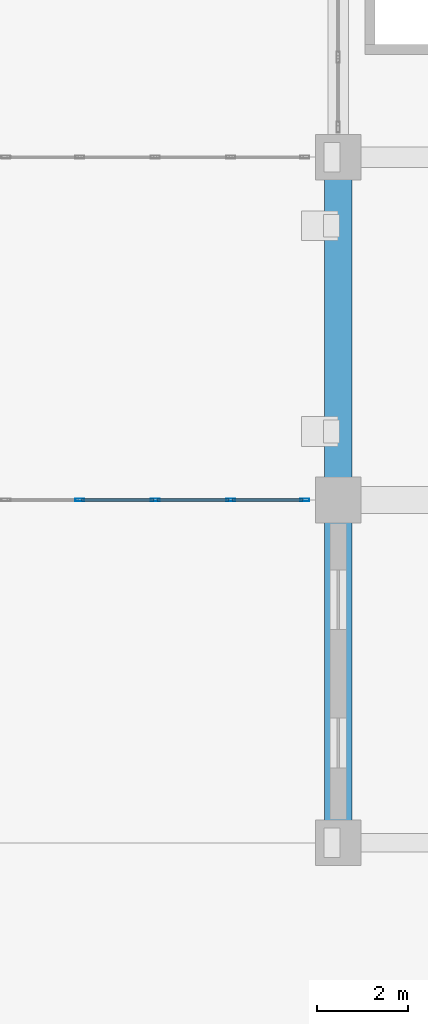
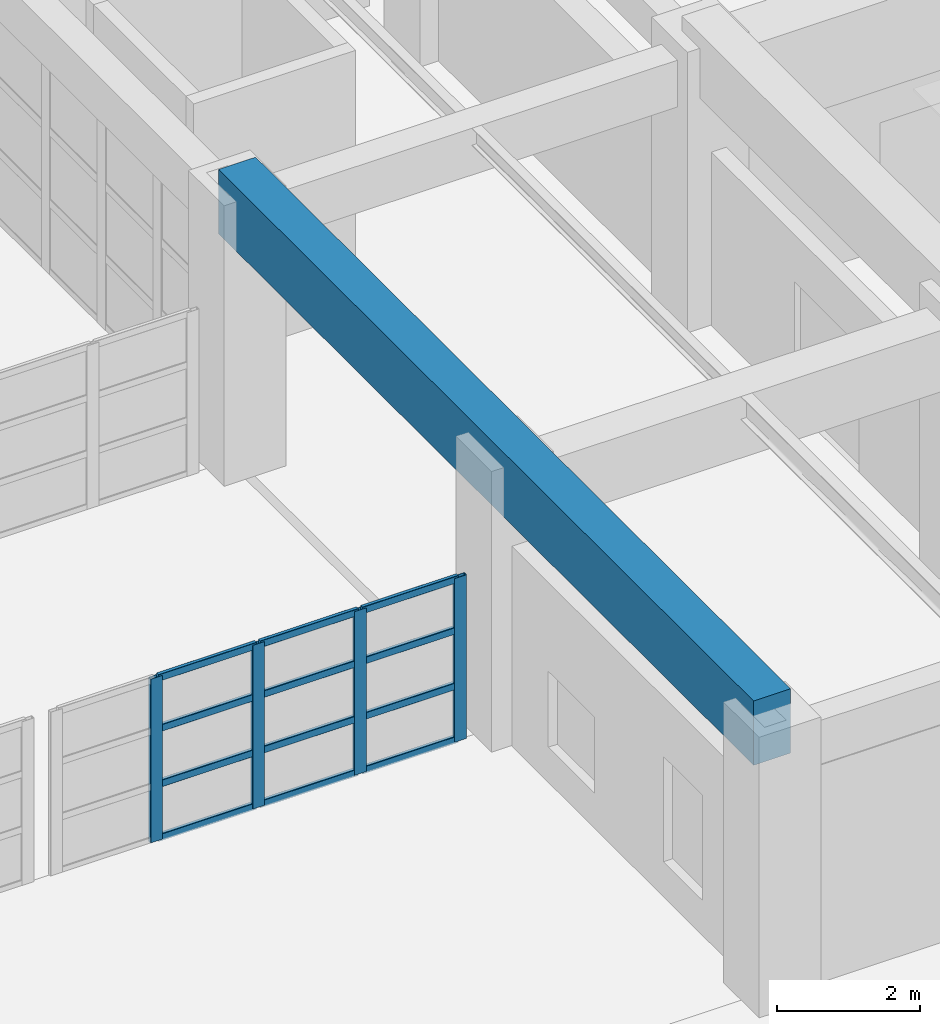
# One storey, part 18 of 122: 16 members, 1 beam, 1 element without a shape of its own.
"""IFC4 building model written with IfcOpenShell, lengths in metres."""

import ifcopenshell
import ifcopenshell.guid

model = None  # the IFC model being written
_history = None  # IfcOwnerHistory: only IFC2X3 demands one
_inside = {}  # id of a spatial element -> (the spatial element, [elements in it])
_under = {}  # id of a project, library or spatial element -> (it, [spatial elements below it])
_declared = {}  # id of a project -> (the project, [libraries it declares])
_typed = {}  # id of a type object -> (the type object, [elements of that type])
_made_of = {}  # id of a material, layer set ... -> (it, [elements and type objects made of it])


def new_model(schema):
    """Start an empty IFC model of exactly this schema.

    Asked for "IFC4X3", IfcOpenShell would pick the latest addendum, in which some entities
    have other attributes; the version numbers below select the first issue.
    IFC2X3 requires an IfcOwnerHistory on every rooted entity: one is made here for all.
    """
    global model, _history
    if schema == "IFC4X3":
        model = ifcopenshell.file(schema_version=(4, 3, 0, 0))
    else:
        model = ifcopenshell.file(schema=schema)
    _inside.clear()
    _under.clear()
    _declared.clear()
    _typed.clear()
    _made_of.clear()
    _history = None
    if model.schema == "IFC2X3":
        org = make("IfcOrganization", Name="unknown")
        user = make(
            "IfcPersonAndOrganization",
            ThePerson=make("IfcPerson", FamilyName="unknown"),
            TheOrganization=org,
        )
        app = make(
            "IfcApplication",
            ApplicationDeveloper=org,
            Version="unknown",
            ApplicationFullName="unknown",
            ApplicationIdentifier="unknown",
        )
        _history = make(
            "IfcOwnerHistory",
            OwningUser=user,
            OwningApplication=app,
            ChangeAction="ADDED",
            CreationDate=0,
        )
    return model


def make(cls, **values):
    """One entity of the class cls with the attributes given. An attribute that is None is left unset."""
    return model.create_entity(
        cls, **{name: value for name, value in values.items() if value is not None}
    )


def rooted(cls, **values):
    """An entity with a GlobalId (a new one), such as an element, a storey or a relation."""
    return make(cls, GlobalId=ifcopenshell.guid.new(), OwnerHistory=_history, **values)


def si_unit(unit_type, name, prefix=None):
    """IfcSIUnit, for example si_unit("LENGTHUNIT", "METRE", prefix="MILLI")."""
    return make("IfcSIUnit", UnitType=unit_type, Prefix=prefix, Name=name)


def assignment(units):
    """IfcUnitAssignment: the units of a project."""
    return None if units is None else make("IfcUnitAssignment", Units=units)


def point(xyz):
    """IfcCartesianPoint."""
    return None if xyz is None else make("IfcCartesianPoint", Coordinates=xyz)


def direction(xyz):
    """IfcDirection."""
    return None if xyz is None else make("IfcDirection", DirectionRatios=xyz)


def frame(location, z_axis=None, x_axis=None):
    """IfcAxis2Placement3D, a coordinate frame: its origin and axes. An axis left out is left unset."""
    return make(
        "IfcAxis2Placement3D",
        Location=point(location),
        Axis=direction(z_axis),
        RefDirection=direction(x_axis),
    )


def frame_2d(location, x_axis=None):
    """IfcAxis2Placement2D, a coordinate frame in the plane: its origin and x axis."""
    return make(
        "IfcAxis2Placement2D", Location=point(location), RefDirection=direction(x_axis)
    )


def origin():
    """The frame at (0, 0, 0) with its axes left unset."""
    return frame((0.0, 0.0, 0.0))


def origin_2d():
    """The frame at (0, 0) in the plane with its x axis left unset."""
    return frame_2d((0.0, 0.0))


def place(relative_to, where):
    """IfcLocalPlacement: puts the frame where relative to a parent placement (None: the world)."""
    return make(
        "IfcLocalPlacement", PlacementRelTo=relative_to, RelativePlacement=where
    )


def context(
    kind, dimensions, precision=None, world=None, true_north=None, identifier=None
):
    """IfcGeometricRepresentationContext, for example the 3D "Model" context."""
    return make(
        "IfcGeometricRepresentationContext",
        ContextIdentifier=identifier,
        ContextType=kind,
        CoordinateSpaceDimension=dimensions,
        Precision=precision,
        WorldCoordinateSystem=world,
        TrueNorth=true_north,
    )


def subcontext(parent, identifier, kind, view, scale=None):
    """IfcGeometricRepresentationSubContext, for example "Body" below "Model"."""
    return make(
        "IfcGeometricRepresentationSubContext",
        ContextIdentifier=identifier,
        ContextType=kind,
        ParentContext=parent,
        TargetScale=scale,
        TargetView=view,
    )


def project(units=None, contexts=None):
    """IfcProject with its units and contexts."""
    return rooted(
        "IfcProject",
        Name="project",
        RepresentationContexts=contexts,
        UnitsInContext=assignment(units),
    )


def spatial(cls, under=None, at=None, **own):
    """A site, building, storey or space (cls), placed at a placement, below another one or the project."""
    s = rooted(cls, ObjectPlacement=at, **own)
    if under is not None:
        _under.setdefault(under.id(), (under, []))[1].append(s)
    return s


def profile(cls, at=None, kind="AREA", **sizes):
    """A parametric profile (cls). Its sizes go by their IFC names, for example OverallWidth=200.0."""
    return make(cls, ProfileType=kind, Position=at, **sizes)


def rectangle(**sizes):
    """IfcRectangleProfileDef."""
    return profile("IfcRectangleProfileDef", **sizes)


def hollow_rectangle(**sizes):
    """IfcRectangleHollowProfileDef."""
    return profile("IfcRectangleHollowProfileDef", **sizes)


def extrude(swept, where, along, depth):
    """IfcExtrudedAreaSolid: the profile swept, set in the frame where, extruded along a direction by depth."""
    return make(
        "IfcExtrudedAreaSolid",
        SweptArea=swept,
        Position=where,
        ExtrudedDirection=direction(along),
        Depth=depth,
    )


def shape(context_of_items, identifier, shape_type, items):
    """IfcShapeRepresentation: the items that make up one representation, for example the "Body"."""
    return make(
        "IfcShapeRepresentation",
        ContextOfItems=context_of_items,
        RepresentationIdentifier=identifier,
        RepresentationType=shape_type,
        Items=items,
    )


def material(Name=None, Category=None):
    """IfcMaterial."""
    return make("IfcMaterial", Name=Name, Category=Category)


def material_profile(
    of_material, cross_section, Name=None, Category=None, Priority=None
):
    """IfcMaterialProfile: a cross section and its material."""
    return make(
        "IfcMaterialProfile",
        Name=Name,
        Material=of_material,
        Profile=cross_section,
        Priority=Priority,
        Category=Category,
    )


def profile_set(profiles, Name=None, composite=None):
    """IfcMaterialProfileSet."""
    return make(
        "IfcMaterialProfileSet",
        Name=Name,
        MaterialProfiles=profiles,
        CompositeProfile=composite,
    )


def made_of(thing, what):
    """Note that an element or type object is made of a material, layer set ...; save() writes the relation."""
    if what is not None:
        _made_of.setdefault(what.id(), (what, []))[1].append(thing)
    return thing


def type_object(cls, material=None, **own):
    """A type object (cls), such as IfcWallType, which elements share."""
    return made_of(rooted(cls, **own), material)


def element(
    cls,
    number,
    at=None,
    inside=None,
    cuts=None,
    type_object=None,
    material=None,
    context=None,
    identifier="Body",
    shape_type=None,
    held_by="IfcProductDefinitionShape",
    body=None,
    shapes=None,
    **own,
):
    """One element of the class cls, such as IfcWall. Its Tag is "e" and its number.

    at: its placement. inside: the storey or other place that contains it. cuts: it is an
    opening in that element (IfcRelVoidsElement). A single representation is given by context,
    identifier, shape_type and body (its items); several are given by shapes. held_by: the class
    of the entity that holds the representations. save() writes the other relations.
    """
    e = rooted(cls, Tag="e%d" % number, ObjectPlacement=at, **own)
    if body is not None:
        shapes = [shape(context, identifier, shape_type, body)]
    if shapes is not None:
        e.Representation = make(held_by, Representations=shapes)
    if inside is not None:
        _inside.setdefault(inside.id(), (inside, []))[1].append(e)
    if cuts is not None:
        rooted(
            "IfcRelVoidsElement", RelatingBuildingElement=cuts, RelatedOpeningElement=e
        )
    if type_object is not None:
        _typed.setdefault(type_object.id(), (type_object, []))[1].append(e)
    return made_of(e, material)


def aggregate(whole, parts):
    """IfcRelAggregates: a whole, such as a stair, and the parts it consists of."""
    return rooted("IfcRelAggregates", RelatingObject=whole, RelatedObjects=parts)


def save(model, path):
    """Write the relations noted so far, then the file.

    IfcRelAggregates (storeys below a building ...), IfcRelContainedInSpatialStructure (elements
    in a storey), IfcRelDefinesByType, IfcRelAssociatesMaterial and IfcRelDeclares: one each for
    every whole, place, type object, material and project.
    """
    for whole, parts in _under.values():
        aggregate(whole, parts)
    for where, things in _inside.values():
        rooted(
            "IfcRelContainedInSpatialStructure",
            RelatedElements=things,
            RelatingStructure=where,
        )
    for kind, things in _typed.values():
        rooted("IfcRelDefinesByType", RelatedObjects=things, RelatingType=kind)
    for what, things in _made_of.values():
        rooted("IfcRelAssociatesMaterial", RelatedObjects=things, RelatingMaterial=what)
    for by, libraries in _declared.values():
        rooted("IfcRelDeclares", RelatingContext=by, RelatedDefinitions=libraries)
    model.write(path)


model = new_model("IFC4")

# Units and contexts
model_context = context("Model", 3, precision=1e-05, world=origin(), true_north=direction((0.0, 1.0)))
body_context = subcontext(model_context, "Body", "Model", "MODEL_VIEW")
ifc_project = project(units=[si_unit("LENGTHUNIT", "METRE"), si_unit("AREAUNIT", "SQUARE_METRE"), si_unit("VOLUMEUNIT", "CUBIC_METRE"), si_unit("PLANEANGLEUNIT", "RADIAN"), si_unit("MASSUNIT", "GRAM", prefix="KILO")], contexts=[model_context])

# Site, building, storey
site_placement = place(None, origin())
site = spatial("IfcSite", under=ifc_project, at=site_placement, CompositionType="ELEMENT")
building_placement = place(site_placement, origin())
building = spatial("IfcBuilding", under=site, at=building_placement, Name="Qasida Concert Hall", CompositionType="ELEMENT")
storey_placement = place(building_placement, origin())
storey = spatial("IfcBuildingStorey", under=building, at=storey_placement, Name="L00", CompositionType="ELEMENT", Elevation=0.0)

# Beam
ifc_material_1 = material(Name="Concrete C50/60", Category="concrete")
ifc_material_profile_1 = material_profile(ifc_material_1, rectangle(XDim=0.60009765625, YDim=1.10009765625, at=origin_2d()), Name="RC 600x1100")
ifc_profile_set_1 = profile_set([ifc_material_profile_1], Name="Concrete C50/60")
beam_type = type_object("IfcBeamType", Name="BM-G4", PredefinedType="USERDEFINED", material=ifc_profile_set_1)
beam_placement = place(storey_placement, frame((52.5, 22.5, 4.5), z_axis=(0.0, 1.0, 0.0), x_axis=(-1.0, 0.0, 0.0)))
element("IfcBeam", 1, at=beam_placement, inside=storey, type_object=beam_type, Name="Entrance soffit backspan girder CGRKB-525", ObjectType="GIRDER", PredefinedType="USERDEFINED", context=body_context, shape_type="SweptSolid", body=[
    extrude(rectangle(XDim=0.60009765625, YDim=1.10009765625, at=origin_2d()), origin(), (0.0, 0.0, 1.0), 15.0),
])

# Curtain wall, members
ifc_material_2 = material(Name="Architectural bronze-anodized aluminium and low-E glass", Category="aluminium")
curtain_wall_type = type_object("IfcCurtainWallType", Name="CW-08", PredefinedType="NOTDEFINED", material=ifc_material_2)
curtain_wall_placement = place(storey_placement, origin())
curtain_wall = element("IfcCurtainWall", 2, at=curtain_wall_placement, inside=storey, type_object=curtain_wall_type, Name="L00 link bridge glazing 0196", PredefinedType="NOTDEFINED")
ifc_material_3 = material(Name="Architectural bronze-anodized aluminium EN AW-6063", Category="aluminium")
ifc_material_profile_2 = material_profile(ifc_material_3, hollow_rectangle(XDim=0.06494140625, YDim=0.199951171875, WallThickness=0.0048828125, InnerFilletRadius=0.0048828125, OuterFilletRadius=0.010009765625, at=origin_2d()), Name="CWM 200x65x5")
ifc_profile_set_2 = profile_set([ifc_material_profile_2], Name="Architectural bronze-anodized aluminium EN AW-6063")
member_type_1 = type_object("IfcMemberType", Name="MB-CWM-2", PredefinedType="MULLION", material=ifc_profile_set_2)
member_1_placement = place(storey_placement, frame((46.85009765625, 30.0, 0.0), z_axis=(0.0, 0.0, 1.0), x_axis=(0.0, 1.0, 0.0)))
member_1 = element("IfcMember", 3, at=member_1_placement, type_object=member_type_1, Name="CW-08 mullion 2", PredefinedType="MULLION", context=body_context, shape_type="SweptSolid", body=[
    extrude(hollow_rectangle(XDim=0.06494140625, YDim=0.199951171875, WallThickness=0.0048828125, InnerFilletRadius=0.0048828125, OuterFilletRadius=0.010009765625, at=origin_2d()), origin(), (0.0, 0.0, 1.0), 2.800048828125),
])
member_2_placement = place(storey_placement, frame((48.5, 30.0, 0.0), z_axis=(0.0, 0.0, 1.0), x_axis=(0.0, 1.0, 0.0)))
member_2 = element("IfcMember", 4, at=member_2_placement, type_object=member_type_1, Name="CW-08 mullion 3", PredefinedType="MULLION", context=body_context, shape_type="SweptSolid", body=[
    extrude(hollow_rectangle(XDim=0.06494140625, YDim=0.199951171875, WallThickness=0.0048828125, InnerFilletRadius=0.0048828125, OuterFilletRadius=0.010009765625, at=origin_2d()), origin(), (0.0, 0.0, 1.0), 2.800048828125),
])
member_3_placement = place(storey_placement, frame((50.14990234375, 30.0, 0.0), z_axis=(0.0, 0.0, 1.0), x_axis=(0.0, 1.0, 0.0)))
member_3 = element("IfcMember", 5, at=member_3_placement, type_object=member_type_1, Name="CW-08 mullion 4", PredefinedType="MULLION", context=body_context, shape_type="SweptSolid", body=[
    extrude(hollow_rectangle(XDim=0.06494140625, YDim=0.199951171875, WallThickness=0.0048828125, InnerFilletRadius=0.0048828125, OuterFilletRadius=0.010009765625, at=origin_2d()), origin(), (0.0, 0.0, 1.0), 2.800048828125),
])
member_4_placement = place(storey_placement, frame((51.767578125, 30.0, 0.0), z_axis=(0.0, 0.0, 1.0), x_axis=(0.0, 1.0, 0.0)))
member_4 = element("IfcMember", 6, at=member_4_placement, type_object=member_type_1, Name="CW-08 mullion 5", PredefinedType="MULLION", context=body_context, shape_type="SweptSolid", body=[
    extrude(hollow_rectangle(XDim=0.06494140625, YDim=0.199951171875, WallThickness=0.0048828125, InnerFilletRadius=0.0048828125, OuterFilletRadius=0.010009765625, at=origin_2d()), origin(), (0.0, 0.0, 1.0), 2.800048828125),
])
ifc_material_profile_3 = material_profile(ifc_material_3, hollow_rectangle(XDim=0.06005859375, YDim=0.1201171875, WallThickness=0.00390625, InnerFilletRadius=0.00390625, OuterFilletRadius=0.008056640625, at=origin_2d()), Name="CWT 120x60x4")
ifc_profile_set_3 = profile_set([ifc_material_profile_3], Name="Architectural bronze-anodized aluminium EN AW-6063")
member_type_2 = type_object("IfcMemberType", Name="MB-CWT-2", PredefinedType="USERDEFINED", material=ifc_profile_set_3)
member_5_placement = place(storey_placement, frame((46.882568359375, 30.0, 0.030029296875), z_axis=(1.0, 0.0, 0.0), x_axis=(0.0, 1.0, 0.0)))
member_5 = element("IfcMember", 7, at=member_5_placement, type_object=member_type_2, Name="CW-08 transom 2.1", ObjectType="TRANSOM", PredefinedType="USERDEFINED", context=body_context, shape_type="SweptSolid", body=[
    extrude(hollow_rectangle(XDim=0.06005859375, YDim=0.1201171875, WallThickness=0.00390625, InnerFilletRadius=0.00390625, OuterFilletRadius=0.008056640625, at=origin_2d()), origin(), (0.0, 0.0, 1.0), 1.5849609375),
])
member_6_placement = place(storey_placement, frame((46.882568359375, 30.0, 0.949951171875), z_axis=(1.0, 0.0, 0.0), x_axis=(0.0, 1.0, 0.0)))
member_6 = element("IfcMember", 8, at=member_6_placement, type_object=member_type_2, Name="CW-08 transom 2.2", ObjectType="TRANSOM", PredefinedType="USERDEFINED", context=body_context, shape_type="SweptSolid", body=[
    extrude(hollow_rectangle(XDim=0.06005859375, YDim=0.1201171875, WallThickness=0.00390625, InnerFilletRadius=0.00390625, OuterFilletRadius=0.008056640625, at=origin_2d()), origin(), (0.0, 0.0, 1.0), 1.5849609375),
])
member_7_placement = place(storey_placement, frame((46.882568359375, 30.0, 1.89990234375), z_axis=(1.0, 0.0, 0.0), x_axis=(0.0, 1.0, 0.0)))
member_7 = element("IfcMember", 9, at=member_7_placement, type_object=member_type_2, Name="CW-08 transom 2.3", ObjectType="TRANSOM", PredefinedType="USERDEFINED", context=body_context, shape_type="SweptSolid", body=[
    extrude(hollow_rectangle(XDim=0.06005859375, YDim=0.1201171875, WallThickness=0.00390625, InnerFilletRadius=0.00390625, OuterFilletRadius=0.008056640625, at=origin_2d()), origin(), (0.0, 0.0, 1.0), 1.5849609375),
])
member_8_placement = place(storey_placement, frame((46.882568359375, 30.0, 2.77001953125), z_axis=(1.0, 0.0, 0.0), x_axis=(0.0, 1.0, 0.0)))
member_8 = element("IfcMember", 10, at=member_8_placement, type_object=member_type_2, Name="CW-08 transom 2.4", ObjectType="TRANSOM", PredefinedType="USERDEFINED", context=body_context, shape_type="SweptSolid", body=[
    extrude(hollow_rectangle(XDim=0.06005859375, YDim=0.1201171875, WallThickness=0.00390625, InnerFilletRadius=0.00390625, OuterFilletRadius=0.008056640625, at=origin_2d()), origin(), (0.0, 0.0, 1.0), 1.5849609375),
])
member_9_placement = place(storey_placement, frame((48.532470703125, 30.0, 0.030029296875), z_axis=(1.0, 0.0, 0.0), x_axis=(0.0, 1.0, 0.0)))
member_9 = element("IfcMember", 11, at=member_9_placement, type_object=member_type_2, Name="CW-08 transom 3.1", ObjectType="TRANSOM", PredefinedType="USERDEFINED", context=body_context, shape_type="SweptSolid", body=[
    extrude(hollow_rectangle(XDim=0.06005859375, YDim=0.1201171875, WallThickness=0.00390625, InnerFilletRadius=0.00390625, OuterFilletRadius=0.008056640625, at=origin_2d()), origin(), (0.0, 0.0, 1.0), 1.5849609375),
])
member_10_placement = place(storey_placement, frame((48.532470703125, 30.0, 0.949951171875), z_axis=(1.0, 0.0, 0.0), x_axis=(0.0, 1.0, 0.0)))
member_10 = element("IfcMember", 12, at=member_10_placement, type_object=member_type_2, Name="CW-08 transom 3.2", ObjectType="TRANSOM", PredefinedType="USERDEFINED", context=body_context, shape_type="SweptSolid", body=[
    extrude(hollow_rectangle(XDim=0.06005859375, YDim=0.1201171875, WallThickness=0.00390625, InnerFilletRadius=0.00390625, OuterFilletRadius=0.008056640625, at=origin_2d()), origin(), (0.0, 0.0, 1.0), 1.5849609375),
])
member_11_placement = place(storey_placement, frame((48.532470703125, 30.0, 1.89990234375), z_axis=(1.0, 0.0, 0.0), x_axis=(0.0, 1.0, 0.0)))
member_11 = element("IfcMember", 13, at=member_11_placement, type_object=member_type_2, Name="CW-08 transom 3.3", ObjectType="TRANSOM", PredefinedType="USERDEFINED", context=body_context, shape_type="SweptSolid", body=[
    extrude(hollow_rectangle(XDim=0.06005859375, YDim=0.1201171875, WallThickness=0.00390625, InnerFilletRadius=0.00390625, OuterFilletRadius=0.008056640625, at=origin_2d()), origin(), (0.0, 0.0, 1.0), 1.5849609375),
])
member_12_placement = place(storey_placement, frame((48.532470703125, 30.0, 2.77001953125), z_axis=(1.0, 0.0, 0.0), x_axis=(0.0, 1.0, 0.0)))
member_12 = element("IfcMember", 14, at=member_12_placement, type_object=member_type_2, Name="CW-08 transom 3.4", ObjectType="TRANSOM", PredefinedType="USERDEFINED", context=body_context, shape_type="SweptSolid", body=[
    extrude(hollow_rectangle(XDim=0.06005859375, YDim=0.1201171875, WallThickness=0.00390625, InnerFilletRadius=0.00390625, OuterFilletRadius=0.008056640625, at=origin_2d()), origin(), (0.0, 0.0, 1.0), 1.5849609375),
])
member_13_placement = place(storey_placement, frame((50.1826171875, 30.0, 0.030029296875), z_axis=(1.0, 0.0, 0.0), x_axis=(0.0, 1.0, 0.0)))
member_13 = element("IfcMember", 15, at=member_13_placement, type_object=member_type_2, Name="CW-08 transom 4.1", ObjectType="TRANSOM", PredefinedType="USERDEFINED", context=body_context, shape_type="SweptSolid", body=[
    extrude(hollow_rectangle(XDim=0.06005859375, YDim=0.1201171875, WallThickness=0.00390625, InnerFilletRadius=0.00390625, OuterFilletRadius=0.008056640625, at=origin_2d()), origin(), (0.0, 0.0, 1.0), 1.552490234375),
])
member_14_placement = place(storey_placement, frame((50.1826171875, 30.0, 0.949951171875), z_axis=(1.0, 0.0, 0.0), x_axis=(0.0, 1.0, 0.0)))
member_14 = element("IfcMember", 16, at=member_14_placement, type_object=member_type_2, Name="CW-08 transom 4.2", ObjectType="TRANSOM", PredefinedType="USERDEFINED", context=body_context, shape_type="SweptSolid", body=[
    extrude(hollow_rectangle(XDim=0.06005859375, YDim=0.1201171875, WallThickness=0.00390625, InnerFilletRadius=0.00390625, OuterFilletRadius=0.008056640625, at=origin_2d()), origin(), (0.0, 0.0, 1.0), 1.552490234375),
])
member_15_placement = place(storey_placement, frame((50.1826171875, 30.0, 1.89990234375), z_axis=(1.0, 0.0, 0.0), x_axis=(0.0, 1.0, 0.0)))
member_15 = element("IfcMember", 17, at=member_15_placement, type_object=member_type_2, Name="CW-08 transom 4.3", ObjectType="TRANSOM", PredefinedType="USERDEFINED", context=body_context, shape_type="SweptSolid", body=[
    extrude(hollow_rectangle(XDim=0.06005859375, YDim=0.1201171875, WallThickness=0.00390625, InnerFilletRadius=0.00390625, OuterFilletRadius=0.008056640625, at=origin_2d()), origin(), (0.0, 0.0, 1.0), 1.552490234375),
])
member_16_placement = place(storey_placement, frame((50.1826171875, 30.0, 2.77001953125), z_axis=(1.0, 0.0, 0.0), x_axis=(0.0, 1.0, 0.0)))
member_16 = element("IfcMember", 18, at=member_16_placement, type_object=member_type_2, Name="CW-08 transom 4.4", ObjectType="TRANSOM", PredefinedType="USERDEFINED", context=body_context, shape_type="SweptSolid", body=[
    extrude(hollow_rectangle(XDim=0.06005859375, YDim=0.1201171875, WallThickness=0.00390625, InnerFilletRadius=0.00390625, OuterFilletRadius=0.008056640625, at=origin_2d()), origin(), (0.0, 0.0, 1.0), 1.552490234375),
])
aggregate(curtain_wall, [member_1, member_2, member_3, member_4, member_5, member_6, member_7, member_8, member_9, member_10, member_11, member_12, member_13, member_14, member_15, member_16])

save(model, "model.ifc")
